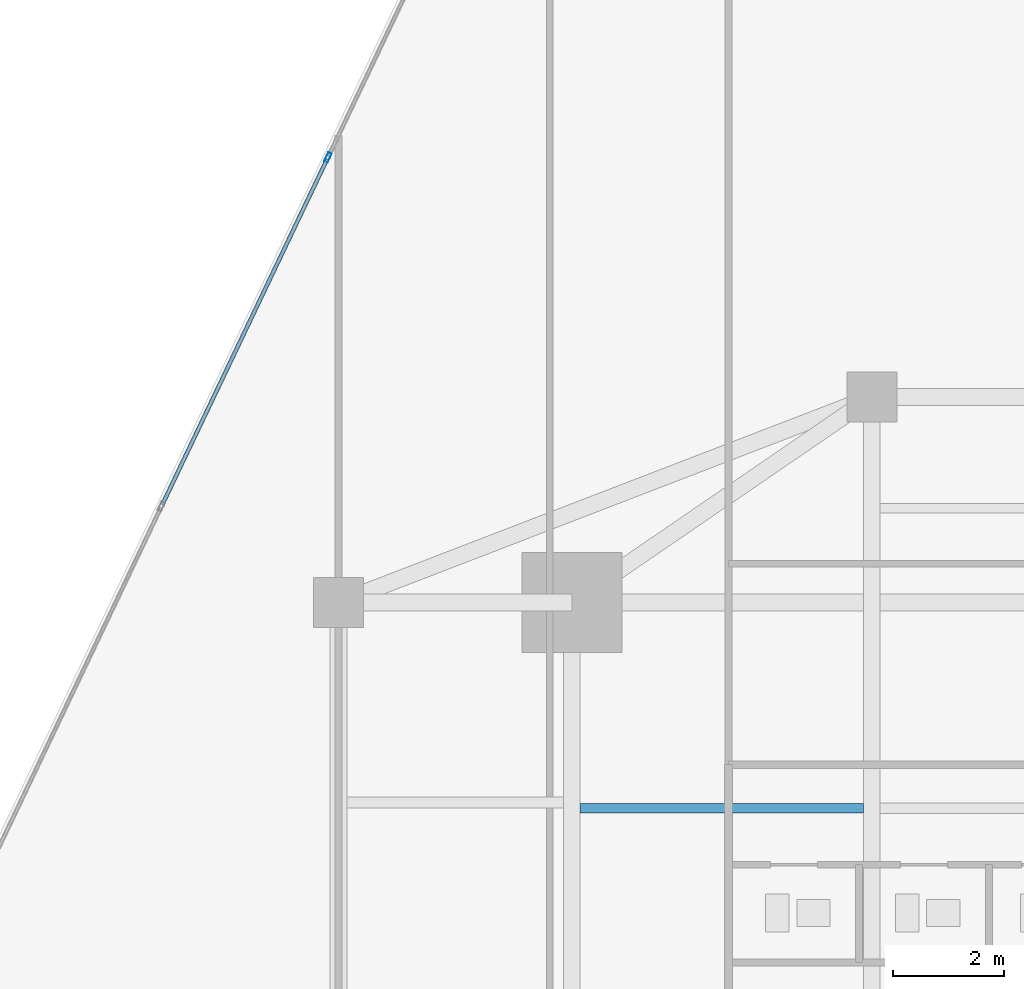
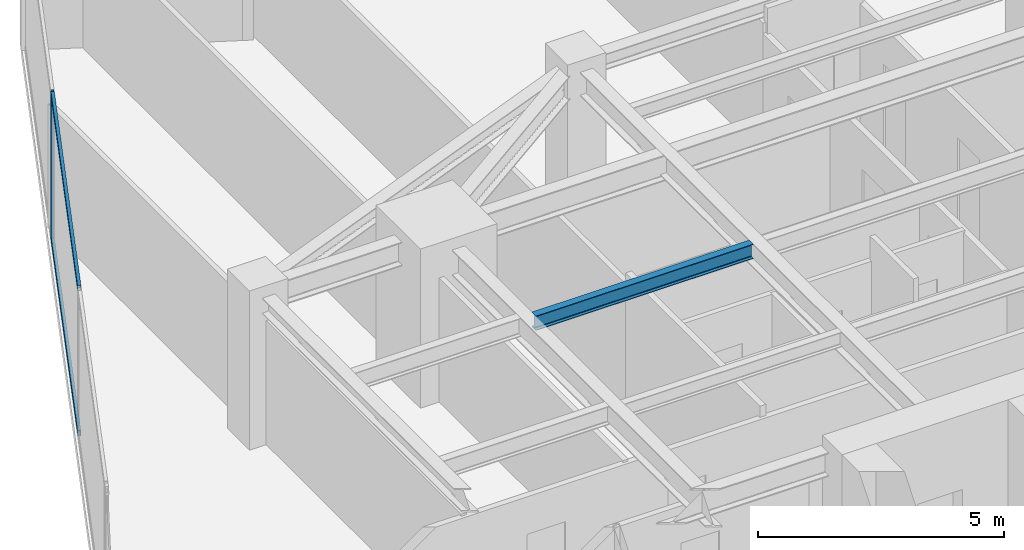
# One storey, part 14 of 25: 3 members, 1 beam, 1 element without a shape of its own.
"""IFC4 building model written with IfcOpenShell, lengths in metres."""

from ifc_helpers import new_model, si_unit, direction, frame, origin, origin_2d, place, context, subcontext, project, spatial, hollow_rectangle, i_section, extrude, source, transform, mapped, material, material_profile, profile_set, type_object, type_shapes, element, aggregate, save


model = new_model("IFC4")

# Units and contexts
model_context = context("Model", 3, precision=1e-05, world=origin(), true_north=direction((0.0, 1.0)))
body_context = subcontext(model_context, "Body", "Model", "MODEL_VIEW")
ifc_project = project(units=[si_unit("LENGTHUNIT", "METRE"), si_unit("AREAUNIT", "SQUARE_METRE"), si_unit("VOLUMEUNIT", "CUBIC_METRE"), si_unit("PLANEANGLEUNIT", "RADIAN"), si_unit("MASSUNIT", "GRAM", prefix="KILO")], contexts=[model_context])

# Site, building, storey
site_placement = place(None, origin())
site = spatial("IfcSite", under=ifc_project, at=site_placement, CompositionType="ELEMENT")
building_placement = place(site_placement, origin())
building = spatial("IfcBuilding", under=site, at=building_placement, Name="Krantzveldt Concourse Tower", CompositionType="ELEMENT")
storey_placement = place(building_placement, frame((0.0, 0.0, 146.199951171875)))
storey = spatial("IfcBuildingStorey", under=building, at=storey_placement, Name="L35", CompositionType="ELEMENT", Elevation=146.199951171875)

# Beam
ifc_material_1 = material(Name="Steel S355JR", Category="steel")
ifc_material_profile_1 = material_profile(ifc_material_1, i_section(OverallWidth=0.169921875, OverallDepth=0.360107421875, WebThickness=0.008056640625, FlangeThickness=0.0126953125, FilletRadius=0.01806640625, at=origin_2d()), Name="Steel S355JR", Category="steel")
ifc_profile_set_1 = profile_set([ifc_material_profile_1], Name="Steel S355JR - IPE 360")
beam_type = type_object("IfcBeamType", Name="BM-J-IPE360", PredefinedType="JOIST", material=ifc_profile_set_1)
shared_shape_1 = source(origin(), body_context, "Body", "SweptSolid", [
    extrude(i_section(OverallWidth=0.169921875, OverallDepth=0.360107421875, WebThickness=0.008056640625, FlangeThickness=0.0126953125, FilletRadius=0.01806640625, at=origin_2d()), origin(), (0.0, 0.0, 1.0), 5.099853515625),
])
type_shapes(beam_type, [shared_shape_1])
beam_placement = place(storey_placement, frame((25.35009765625, 33.800048828125, 3.489990234375), z_axis=(1.0, 0.0, 0.0), x_axis=(0.0, 1.0, 0.0)))
element("IfcBeam", 1, at=beam_placement, inside=storey, type_object=beam_type, Name="L35 Secondary Floor Joist JN-W2", PredefinedType="JOIST", context=body_context, shape_type="MappedRepresentation", body=[
    mapped(shared_shape_1, transform((0.0, 0.0, 0.0), x_axis=(1.0, 0.0, 0.0), y_axis=(0.0, 1.0, 0.0), z_axis=(0.0, 0.0, 1.0), scale=1.0)),
])

# Curtain wall, members
ifc_material_2 = material(Name="Anodised aluminium 6063-T6", Category="aluminium")
curtain_wall_type = type_object("IfcCurtainWallType", Name="CW3", PredefinedType="USERDEFINED", material=ifc_material_2)
curtain_wall_placement = place(storey_placement, origin())
curtain_wall = element("IfcCurtainWall", 2, at=curtain_wall_placement, inside=storey, type_object=curtain_wall_type, Name="CW-L35-F01", ObjectType="UNITISED CURTAIN WALL", PredefinedType="USERDEFINED")
ifc_material_profile_2 = material_profile(ifc_material_2, hollow_rectangle(XDim=0.070068359375, YDim=0.179931640625, WallThickness=0.0048828125, at=origin_2d()), Name="Anodised aluminium 6063-T6", Category="aluminium")
ifc_profile_set_2 = profile_set([ifc_material_profile_2], Name="Anodised aluminium 6063-T6 - ALU-MULL 180x70x5")
member_type_1 = type_object("IfcMemberType", Name="CW-MUL-180", PredefinedType="MULLION", material=ifc_profile_set_2)
shared_shape_2 = source(origin(), body_context, "Body", "SweptSolid", [
    extrude(hollow_rectangle(XDim=0.070068359375, YDim=0.179931640625, WallThickness=0.0048828125, at=origin_2d()), origin(), (0.0, 0.0, 1.0), 3.670166015625),
])
type_shapes(member_type_1, [shared_shape_2])
member_1_placement = place(storey_placement, frame((20.80908203125, 45.512451171875, 0.0), z_axis=(0.0, 0.0, 1.0), x_axis=(0.902585252784, -0.430511162987, 0.0)))
member_1 = element("IfcMember", 3, at=member_1_placement, type_object=member_type_1, Name="CW-Z34 mullion 2", PredefinedType="MULLION", context=body_context, shape_type="MappedRepresentation", body=[
    mapped(shared_shape_2, transform((0.0, 0.0, 0.0), x_axis=(1.0, 0.0, 0.0), y_axis=(0.0, 1.0, 0.0), z_axis=(0.0, 0.0, 1.0), scale=1.0)),
])
ifc_material_profile_3 = material_profile(ifc_material_2, hollow_rectangle(XDim=0.070068359375, YDim=0.139892578125, WallThickness=0.0048828125, at=origin_2d()), Name="Anodised aluminium 6063-T6", Category="aluminium")
ifc_profile_set_3 = profile_set([ifc_material_profile_3], Name="Anodised aluminium 6063-T6 - ALU-TRAN 140x70x5")
member_type_2 = type_object("IfcMemberType", Name="CW-TRN-150", PredefinedType="USERDEFINED", material=ifc_profile_set_3)
shared_shape_3 = source(origin(), body_context, "Body", "SweptSolid", [
    extrude(hollow_rectangle(XDim=0.070068359375, YDim=0.139892578125, WallThickness=0.0048828125, at=origin_2d()), origin(), (0.0, 0.0, 1.0), 6.89013671875),
])
type_shapes(member_type_2, [shared_shape_3])
member_2_placement = place(storey_placement, frame((20.794189453125, 45.48095703125, 0.03515625), z_axis=(-0.430511161918, -0.902585253294, 0.0), x_axis=(0.902585253294, -0.430511161918, 0.0)))
member_2 = element("IfcMember", 4, at=member_2_placement, type_object=member_type_2, Name="CW-Z34 transom 2.1", ObjectType="TRANSOM", PredefinedType="USERDEFINED", context=body_context, shape_type="MappedRepresentation", body=[
    mapped(shared_shape_3, transform((0.0, 0.0, 0.0), x_axis=(1.0, 0.0, 0.0), y_axis=(0.0, 1.0, 0.0), z_axis=(0.0, 0.0, 1.0), scale=1.0)),
])
member_3_placement = place(storey_placement, frame((20.794189453125, 45.48095703125, 3.635009765625), z_axis=(-0.430511161918, -0.902585253294, 0.0), x_axis=(0.902585253294, -0.430511161918, 0.0)))
member_3 = element("IfcMember", 5, at=member_3_placement, type_object=member_type_2, Name="CW-Z34 transom 2.2", ObjectType="TRANSOM", PredefinedType="USERDEFINED", context=body_context, shape_type="MappedRepresentation", body=[
    mapped(shared_shape_3, transform((0.0, 0.0, 0.0), x_axis=(1.0, 0.0, 0.0), y_axis=(0.0, 1.0, 0.0), z_axis=(0.0, 0.0, 1.0), scale=1.0)),
])
aggregate(curtain_wall, [member_1, member_2, member_3])

save(model, "model.ifc")
